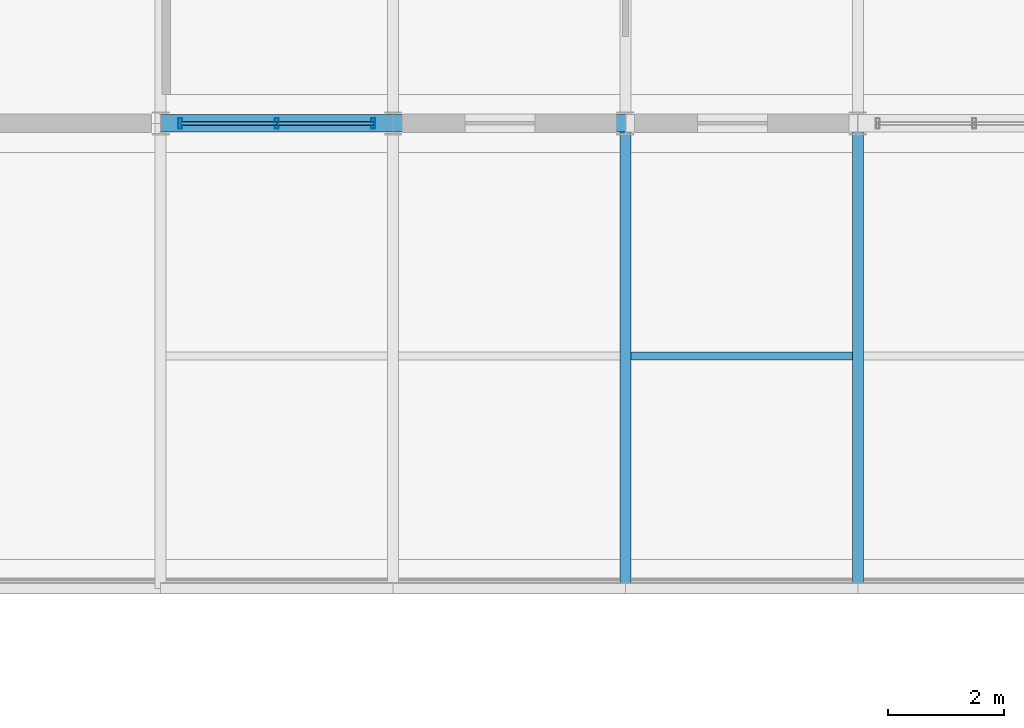
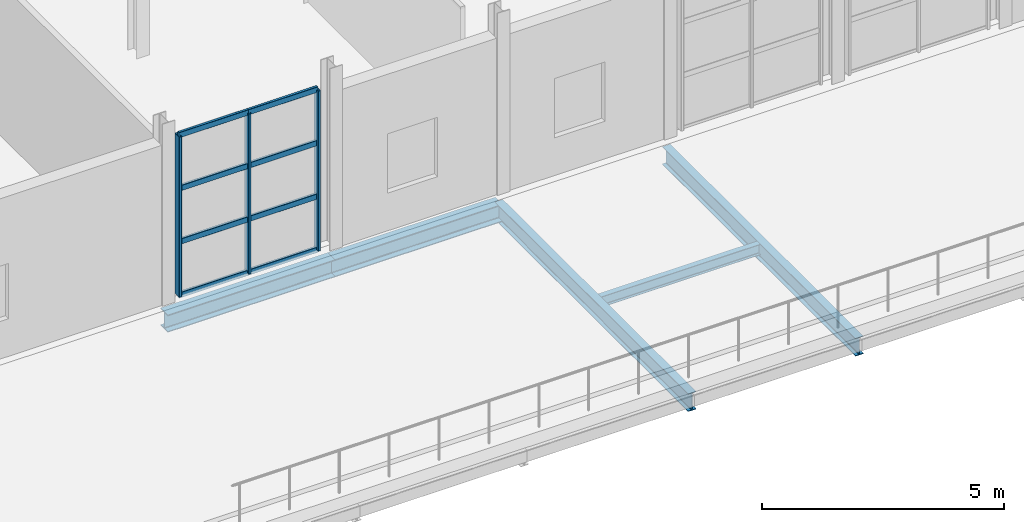
# One storey, part 45 of 67: 11 members, 5 beams, 1 element without a shape of its own.
"""IFC4 building model written with IfcOpenShell, lengths in metres."""

from ifc_helpers import new_model, si_unit, derived_unit, direction, frame, origin, origin_2d, place, context, subcontext, project, spatial, hollow_rectangle, i_section, extrude, material, material_profile, profile_set, type_object, element, aggregate, save


model = new_model("IFC4")

# Units and contexts
model_context = context("Model", 3, precision=1e-05, world=origin(), true_north=direction((0.0, 1.0)))
body_context = subcontext(model_context, "Body", "Model", "MODEL_VIEW")
ifc_project = project(units=[si_unit("LENGTHUNIT", "METRE"), si_unit("AREAUNIT", "SQUARE_METRE"), si_unit("VOLUMEUNIT", "CUBIC_METRE"), si_unit("PLANEANGLEUNIT", "RADIAN"), si_unit("MASSUNIT", "GRAM", prefix="KILO"), derived_unit("THERMALTRANSMITTANCEUNIT", [(si_unit("POWERUNIT", "WATT"), 1), (si_unit("LENGTHUNIT", "METRE"), -2), (si_unit("THERMODYNAMICTEMPERATUREUNIT", "KELVIN"), -1)])], contexts=[model_context])

# Site, building, storey
site_placement = place(None, origin())
site = spatial("IfcSite", under=ifc_project, at=site_placement, CompositionType="ELEMENT")
building_placement = place(site_placement, origin())
building = spatial("IfcBuilding", under=site, at=building_placement, Name="Keldorne Ridge Multi-Sports Centre", CompositionType="ELEMENT")
storey_placement = place(building_placement, frame((0.0, 0.0, 14.0)))
storey = spatial("IfcBuildingStorey", under=building, at=storey_placement, Name="L03", CompositionType="ELEMENT", Elevation=14.0)

# Beams
ifc_material_1 = material(Name="Steel S355", Category="steel")
ifc_material_profile_1 = material_profile(ifc_material_1, i_section(OverallWidth=0.18994140625, OverallDepth=0.449951171875, WebThickness=0.009521484375, FlangeThickness=0.0146484375, FilletRadius=0.02099609375, at=origin_2d()), Name="IPE 450")
ifc_profile_set_1 = profile_set([ifc_material_profile_1], Name="Steel S355")
beam_type_1 = type_object("IfcBeamType", Name="BM-B-03", PredefinedType="BEAM", material=ifc_profile_set_1)
for number, where, z_axis, x_axis, name in (
    (1, (128.0, 66.0, -0.52490234375), (0.0, 1.0, 0.0), (-1.0, 0.0, 0.0), "L03 primary girder 128.1"),
    (2, (132.0, 66.0, -0.52490234375), (0.0, 1.0, 0.0), (-1.0, 0.0, 0.0), "L03 primary girder 132.1"),
):
    element("IfcBeam", number, at=place(storey_placement, frame(where, z_axis=z_axis, x_axis=x_axis)), inside=storey, type_object=beam_type_1, Name=name, PredefinedType="BEAM", context=body_context, shape_type="SweptSolid", body=[
        extrude(i_section(OverallWidth=0.18994140625, OverallDepth=0.449951171875, WebThickness=0.009521484375, FlangeThickness=0.0146484375, FilletRadius=0.02099609375, at=origin_2d()), origin(), (0.0, 0.0, 1.0), 8.0),
    ])
ifc_material_profile_2 = material_profile(ifc_material_1, i_section(OverallWidth=0.300048828125, OverallDepth=0.43994140625, WebThickness=0.011474609375, FlangeThickness=0.02099609375, FilletRadius=0.027099609375, at=origin_2d()), Name="HEA 450")
ifc_profile_set_2 = profile_set([ifc_material_profile_2], Name="Steel S355")
beam_type_2 = type_object("IfcBeamType", Name="BM-B-09", PredefinedType="BEAM", material=ifc_profile_set_2)
for number, where, z_axis, x_axis, name in (
    (3, (120.0, 74.0, -0.52001953125), (1.0, 0.0, 0.0), (0.0, 1.0, 0.0), "L03 primary beam 3.74"),
    (4, (124.0, 74.0, -0.52001953125), (1.0, 0.0, 0.0), (0.0, 1.0, 0.0), "L03 primary beam 4.74"),
):
    element("IfcBeam", number, at=place(storey_placement, frame(where, z_axis=z_axis, x_axis=x_axis)), inside=storey, type_object=beam_type_2, Name=name, PredefinedType="BEAM", context=body_context, shape_type="SweptSolid", body=[
        extrude(i_section(OverallWidth=0.300048828125, OverallDepth=0.43994140625, WebThickness=0.011474609375, FlangeThickness=0.02099609375, FilletRadius=0.027099609375, at=origin_2d()), origin(), (0.0, 0.0, 1.0), 4.0),
    ])
ifc_material_profile_3 = material_profile(ifc_material_1, i_section(OverallWidth=0.135009765625, OverallDepth=0.27001953125, WebThickness=0.006591796875, FlangeThickness=0.01025390625, FilletRadius=0.014892578125, at=origin_2d()), Name="IPE 270")
ifc_profile_set_3 = profile_set([ifc_material_profile_3], Name="Steel S355")
beam_type_3 = type_object("IfcBeamType", Name="BM-J-03", PredefinedType="JOIST", material=ifc_profile_set_3)
beam_placement = place(storey_placement, frame((128.094970703125, 70.0, -0.43505859375), z_axis=(1.0, 0.0, 0.0), x_axis=(0.0, 1.0, 0.0)))
element("IfcBeam", 5, at=beam_placement, inside=storey, type_object=beam_type_3, Name="L03 secondary joist 5.1", PredefinedType="JOIST", context=body_context, shape_type="SweptSolid", body=[
    extrude(i_section(OverallWidth=0.135009765625, OverallDepth=0.27001953125, WebThickness=0.006591796875, FlangeThickness=0.01025390625, FilletRadius=0.014892578125, at=origin_2d()), origin(), (0.0, 0.0, 1.0), 3.81005859375),
])

# Curtain wall, members
ifc_material_2 = material(Name="Anodized aluminium", Category="aluminium")
curtain_wall_type = type_object("IfcCurtainWallType", Name="CW-CW-01", PredefinedType="NOTDEFINED", material=ifc_material_2)
curtain_wall_placement = place(storey_placement, origin())
curtain_wall = element("IfcCurtainWall", 6, at=curtain_wall_placement, inside=storey, type_object=curtain_wall_type, Name="East Wing L03 south curtain wall 153", PredefinedType="NOTDEFINED")
ifc_material_profile_4 = material_profile(ifc_material_2, hollow_rectangle(XDim=0.06494140625, YDim=0.179931640625, WallThickness=0.00439453125, InnerFilletRadius=0.00439453125, OuterFilletRadius=0.009033203125, at=origin_2d()), Name="ALU MULLION 180x65x4.5")
ifc_profile_set_4 = profile_set([ifc_material_profile_4], Name="Anodized aluminium")
member_type_1 = type_object("IfcMemberType", Name="MEM-ML-01", PredefinedType="MULLION", material=ifc_profile_set_4)
member_1_placement = place(storey_placement, frame((120.340087890625, 74.0, 0.0), z_axis=(0.0, 0.0, 1.0), x_axis=(1.0, 0.0, 0.0)))
member_1 = element("IfcMember", 7, at=member_1_placement, type_object=member_type_1, Name="CW-153 vertical mullion 1", PredefinedType="MULLION", context=body_context, shape_type="SweptSolid", body=[
    extrude(hollow_rectangle(XDim=0.06494140625, YDim=0.179931640625, WallThickness=0.00439453125, InnerFilletRadius=0.00439453125, OuterFilletRadius=0.009033203125, at=origin_2d()), origin(), (0.0, 0.0, 1.0), 4.050048828125),
])
member_2_placement = place(storey_placement, frame((122.0, 74.0, 0.0), z_axis=(0.0, 0.0, 1.0), x_axis=(1.0, 0.0, 0.0)))
member_2 = element("IfcMember", 8, at=member_2_placement, type_object=member_type_1, Name="CW-153 vertical mullion 2", PredefinedType="MULLION", context=body_context, shape_type="SweptSolid", body=[
    extrude(hollow_rectangle(XDim=0.06494140625, YDim=0.179931640625, WallThickness=0.00439453125, InnerFilletRadius=0.00439453125, OuterFilletRadius=0.009033203125, at=origin_2d()), origin(), (0.0, 0.0, 1.0), 4.050048828125),
])
member_3_placement = place(storey_placement, frame((123.659912109375, 74.0, 0.0), z_axis=(0.0, 0.0, 1.0), x_axis=(1.0, 0.0, 0.0)))
member_3 = element("IfcMember", 9, at=member_3_placement, type_object=member_type_1, Name="CW-153 vertical mullion 3", PredefinedType="MULLION", context=body_context, shape_type="SweptSolid", body=[
    extrude(hollow_rectangle(XDim=0.06494140625, YDim=0.179931640625, WallThickness=0.00439453125, InnerFilletRadius=0.00439453125, OuterFilletRadius=0.009033203125, at=origin_2d()), origin(), (0.0, 0.0, 1.0), 4.050048828125),
])
ifc_material_profile_5 = material_profile(ifc_material_2, hollow_rectangle(XDim=0.06494140625, YDim=0.139892578125, WallThickness=0.00439453125, InnerFilletRadius=0.00439453125, OuterFilletRadius=0.009033203125, at=origin_2d()), Name="ALU TRANSOM 140x65x4.5")
ifc_profile_set_5 = profile_set([ifc_material_profile_5], Name="Anodized aluminium")
member_type_2 = type_object("IfcMemberType", Name="MEM-TR-01", PredefinedType="USERDEFINED", material=ifc_profile_set_5)
member_4_placement = place(storey_placement, frame((120.340087890625, 74.0, 0.0), z_axis=(1.0, 0.0, 0.0), x_axis=(0.0, 1.0, 0.0)))
member_4 = element("IfcMember", 10, at=member_4_placement, type_object=member_type_2, Name="CW-153 transom 1.1", ObjectType="TRANSOM", PredefinedType="USERDEFINED", context=body_context, shape_type="SweptSolid", body=[
    extrude(hollow_rectangle(XDim=0.06494140625, YDim=0.139892578125, WallThickness=0.00439453125, InnerFilletRadius=0.00439453125, OuterFilletRadius=0.009033203125, at=origin_2d()), origin(), (0.0, 0.0, 1.0), 1.659912109375),
])
member_5_placement = place(storey_placement, frame((120.340087890625, 74.0, 1.35009765625), z_axis=(1.0, 0.0, 0.0), x_axis=(0.0, 1.0, 0.0)))
member_5 = element("IfcMember", 11, at=member_5_placement, type_object=member_type_2, Name="CW-153 transom 1.2", ObjectType="TRANSOM", PredefinedType="USERDEFINED", context=body_context, shape_type="SweptSolid", body=[
    extrude(hollow_rectangle(XDim=0.06494140625, YDim=0.139892578125, WallThickness=0.00439453125, InnerFilletRadius=0.00439453125, OuterFilletRadius=0.009033203125, at=origin_2d()), origin(), (0.0, 0.0, 1.0), 1.659912109375),
])
member_6_placement = place(storey_placement, frame((120.340087890625, 74.0, 2.699951171875), z_axis=(1.0, 0.0, 0.0), x_axis=(0.0, 1.0, 0.0)))
member_6 = element("IfcMember", 12, at=member_6_placement, type_object=member_type_2, Name="CW-153 transom 1.3", ObjectType="TRANSOM", PredefinedType="USERDEFINED", context=body_context, shape_type="SweptSolid", body=[
    extrude(hollow_rectangle(XDim=0.06494140625, YDim=0.139892578125, WallThickness=0.00439453125, InnerFilletRadius=0.00439453125, OuterFilletRadius=0.009033203125, at=origin_2d()), origin(), (0.0, 0.0, 1.0), 1.659912109375),
])
member_7_placement = place(storey_placement, frame((120.340087890625, 74.0, 4.050048828125), z_axis=(1.0, 0.0, 0.0), x_axis=(0.0, 1.0, 0.0)))
member_7 = element("IfcMember", 13, at=member_7_placement, type_object=member_type_2, Name="CW-153 transom 1.4", ObjectType="TRANSOM", PredefinedType="USERDEFINED", context=body_context, shape_type="SweptSolid", body=[
    extrude(hollow_rectangle(XDim=0.06494140625, YDim=0.139892578125, WallThickness=0.00439453125, InnerFilletRadius=0.00439453125, OuterFilletRadius=0.009033203125, at=origin_2d()), origin(), (0.0, 0.0, 1.0), 1.659912109375),
])
member_8_placement = place(storey_placement, frame((122.0, 74.0, 0.0), z_axis=(1.0, 0.0, 0.0), x_axis=(0.0, 1.0, 0.0)))
member_8 = element("IfcMember", 14, at=member_8_placement, type_object=member_type_2, Name="CW-153 transom 2.1", ObjectType="TRANSOM", PredefinedType="USERDEFINED", context=body_context, shape_type="SweptSolid", body=[
    extrude(hollow_rectangle(XDim=0.06494140625, YDim=0.139892578125, WallThickness=0.00439453125, InnerFilletRadius=0.00439453125, OuterFilletRadius=0.009033203125, at=origin_2d()), origin(), (0.0, 0.0, 1.0), 1.659912109375),
])
member_9_placement = place(storey_placement, frame((122.0, 74.0, 1.35009765625), z_axis=(1.0, 0.0, 0.0), x_axis=(0.0, 1.0, 0.0)))
member_9 = element("IfcMember", 15, at=member_9_placement, type_object=member_type_2, Name="CW-153 transom 2.2", ObjectType="TRANSOM", PredefinedType="USERDEFINED", context=body_context, shape_type="SweptSolid", body=[
    extrude(hollow_rectangle(XDim=0.06494140625, YDim=0.139892578125, WallThickness=0.00439453125, InnerFilletRadius=0.00439453125, OuterFilletRadius=0.009033203125, at=origin_2d()), origin(), (0.0, 0.0, 1.0), 1.659912109375),
])
member_10_placement = place(storey_placement, frame((122.0, 74.0, 2.699951171875), z_axis=(1.0, 0.0, 0.0), x_axis=(0.0, 1.0, 0.0)))
member_10 = element("IfcMember", 16, at=member_10_placement, type_object=member_type_2, Name="CW-153 transom 2.3", ObjectType="TRANSOM", PredefinedType="USERDEFINED", context=body_context, shape_type="SweptSolid", body=[
    extrude(hollow_rectangle(XDim=0.06494140625, YDim=0.139892578125, WallThickness=0.00439453125, InnerFilletRadius=0.00439453125, OuterFilletRadius=0.009033203125, at=origin_2d()), origin(), (0.0, 0.0, 1.0), 1.659912109375),
])
member_11_placement = place(storey_placement, frame((122.0, 74.0, 4.050048828125), z_axis=(1.0, 0.0, 0.0), x_axis=(0.0, 1.0, 0.0)))
member_11 = element("IfcMember", 17, at=member_11_placement, type_object=member_type_2, Name="CW-153 transom 2.4", ObjectType="TRANSOM", PredefinedType="USERDEFINED", context=body_context, shape_type="SweptSolid", body=[
    extrude(hollow_rectangle(XDim=0.06494140625, YDim=0.139892578125, WallThickness=0.00439453125, InnerFilletRadius=0.00439453125, OuterFilletRadius=0.009033203125, at=origin_2d()), origin(), (0.0, 0.0, 1.0), 1.659912109375),
])
aggregate(curtain_wall, [member_1, member_2, member_3, member_4, member_5, member_6, member_7, member_8, member_9, member_10, member_11])

save(model, "model.ifc")
